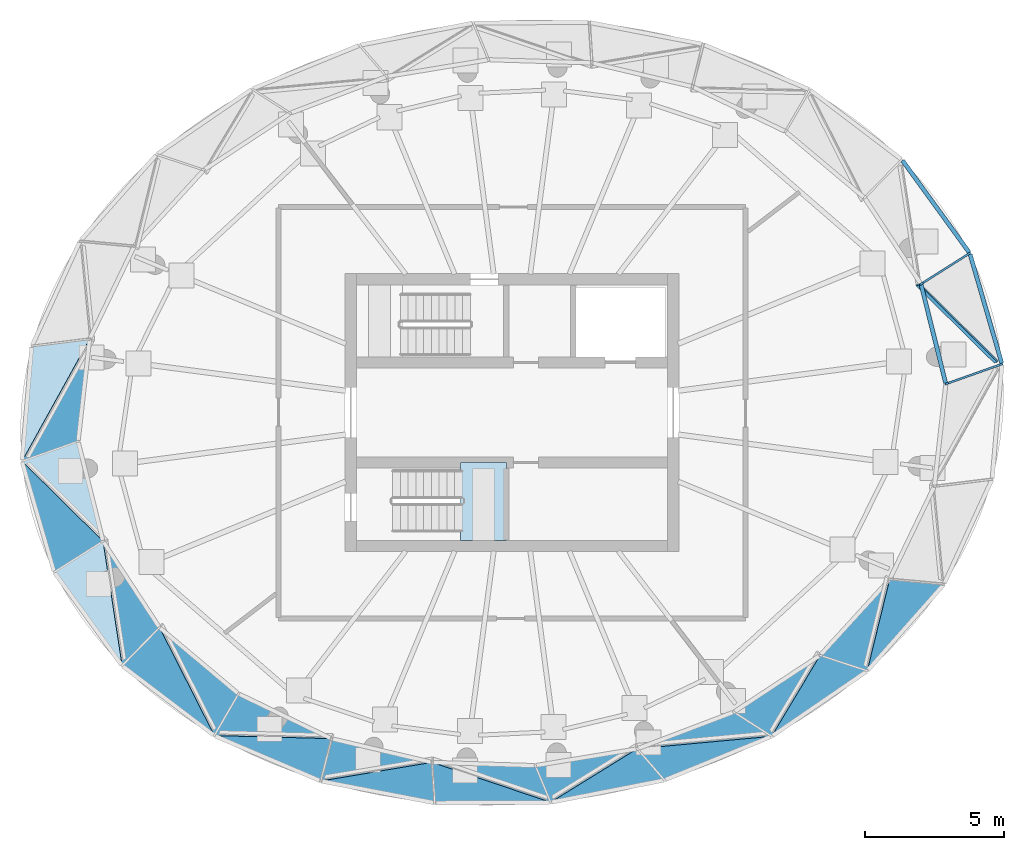
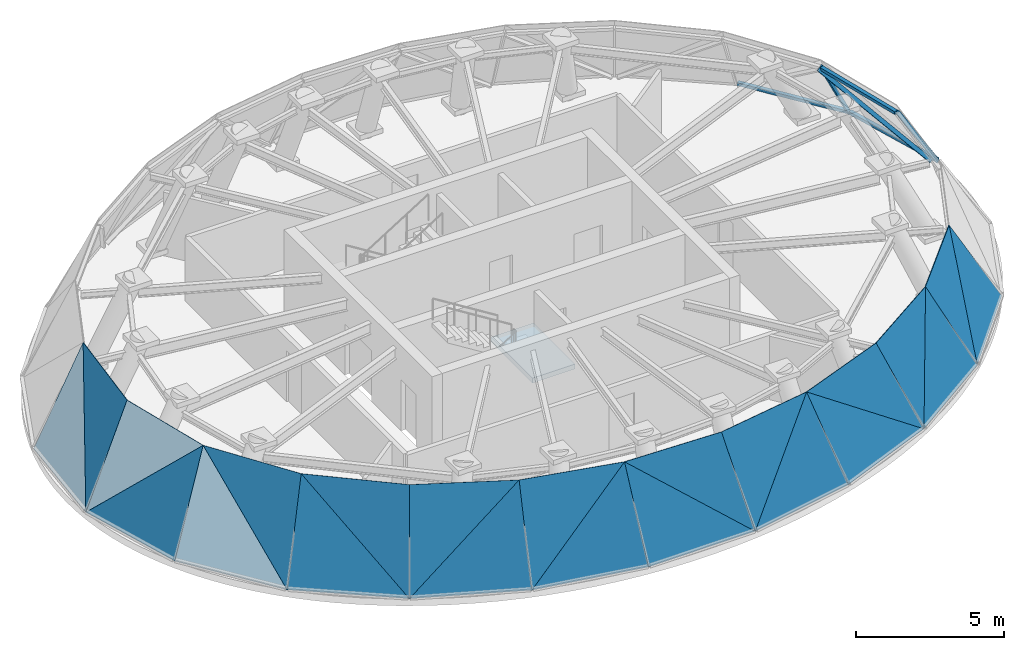
# One storey, part 5 of 9: 22 plates, 6 members, 1 slab, 26 elements without a shape of their own.
"""IFC4 building model written with IfcOpenShell, lengths in metres."""

from ifc_helpers import new_model, si_unit, direction, frame, origin, origin_2d, place, context, subcontext, project, spatial, line, indexed_curve, rectangle, outline, extrude, source, transform, mapped, material, layer, layer_set, material_profile, profile_set, type_object, element, aggregate, save


model = new_model("IFC4")

# Units and contexts
model_context = context("Model", 3, precision=1e-05, world=origin(), true_north=direction((0.0, 1.0)))
body_context = subcontext(model_context, "Body", "Model", "MODEL_VIEW")
ifc_project = project(units=[si_unit("LENGTHUNIT", "METRE"), si_unit("AREAUNIT", "SQUARE_METRE"), si_unit("VOLUMEUNIT", "CUBIC_METRE"), si_unit("PLANEANGLEUNIT", "RADIAN"), si_unit("MASSUNIT", "GRAM", prefix="KILO")], contexts=[model_context])

# Site, building, storey
site_placement = place(None, origin())
site = spatial("IfcSite", under=ifc_project, at=site_placement, CompositionType="ELEMENT")
building_placement = place(site_placement, origin())
building = spatial("IfcBuilding", under=site, at=building_placement, Name="Spindrift Exchange Tower", CompositionType="ELEMENT")
storey_placement = place(building_placement, frame((0.0, 0.0, 276.60009765625)))
storey = spatial("IfcBuildingStorey", under=building, at=storey_placement, Name="L68", CompositionType="ELEMENT", Elevation=276.60009765625)

# Curtain wall, member
ifc_material_1 = material(Name="Fritted laminated glass with bronze frame", Category="glass")
ifc_layer_1 = layer(ifc_material_1, 0.14990234375)
ifc_layer_set_1 = layer_set([ifc_layer_1], Name="CROWN BRONZE RAKED GLAZED WALL")
curtain_wall_type = type_object("IfcCurtainWallType", Name="CROWN BRONZE RAKED GLAZED WALL", PredefinedType="NOTDEFINED", material=ifc_layer_set_1)
curtain_wall_1_placement = place(storey_placement, origin())
curtain_wall_1 = element("IfcCurtainWall", 1, at=curtain_wall_1_placement, inside=storey, type_object=curtain_wall_type, Name="L68 Crown Bronze Raked Glazed Wall facet 1", PredefinedType="NOTDEFINED")
ifc_material_2 = material(Name="Bronze anodised aluminium", Category="aluminium")
ifc_material_profile_1 = material_profile(ifc_material_2, rectangle(XDim=0.14990234375, YDim=0.1201171875, at=origin_2d()), Name="CROWN BRONZE RAKED GLAZED WALL TRANSOM 150X120")
ifc_profile_set_1 = profile_set([ifc_material_profile_1], Name="Bronze anodised aluminium")
member_type_1 = type_object("IfcMemberType", Name="CROWN BRONZE RAKED GLAZED WALL TRANSOM 150X120", PredefinedType="USERDEFINED", material=ifc_profile_set_1)
shared_shape_1 = source(origin(), body_context, "Body", "SweptSolid", [
    extrude(rectangle(XDim=0.14990234375, YDim=0.1201171875, at=origin_2d()), origin(), (0.0, 0.0, 1.0), 4.083740234375),
])
member_1_placement = place(storey_placement, frame((69.61962890625, 49.781494140625, 0.059814453125), z_axis=(-0.279187231676, 0.960236684193, 0.0), x_axis=(-0.960236684193, -0.279187231676, 0.0)))
member_1 = element("IfcMember", 2, at=member_1_placement, type_object=member_type_1, Name="L68 transom CW-R.1a", ObjectType="TRANSOM", PredefinedType="USERDEFINED", context=body_context, shape_type="MappedRepresentation", body=[
    mapped(shared_shape_1, transform((0.0, 0.0, 0.0), scale=1.0)),
])

curtain_wall_2_placement = place(storey_placement, origin())
curtain_wall_2 = element("IfcCurtainWall", 3, at=curtain_wall_2_placement, inside=storey, type_object=curtain_wall_type, Name="L68 Crown Bronze Raked Glazed Wall facet 3", PredefinedType="NOTDEFINED")
shared_shape_2 = source(origin(), body_context, "Body", "SweptSolid", [
    extrude(rectangle(XDim=0.14990234375, YDim=0.1201171875, at=origin_2d()), origin(), (0.0, 0.0, 1.0), 4.0888671875),
])
member_2_placement = place(storey_placement, frame((66.0478515625, 57.07421875, 0.059814453125), z_axis=(0.587305084769, -0.809365638883, 0.0), x_axis=(0.809365638883, 0.587305084769, 0.0)))
member_2 = element("IfcMember", 4, at=member_2_placement, type_object=member_type_1, Name="L68 transom CW-R.2a", ObjectType="TRANSOM", PredefinedType="USERDEFINED", context=body_context, shape_type="MappedRepresentation", body=[
    mapped(shared_shape_2, transform((0.0, 0.0, 0.0), scale=1.0)),
])

# Curtain wall, members
curtain_wall_3_placement = place(storey_placement, origin())
curtain_wall_3 = element("IfcCurtainWall", 5, at=curtain_wall_3_placement, inside=storey, type_object=curtain_wall_type, Name="L68 Crown Bronze Raked Glazed Wall facet 2", PredefinedType="NOTDEFINED")
shared_shape_3 = source(origin(), body_context, "Body", "SweptSolid", [
    extrude(rectangle(XDim=0.14990234375, YDim=0.1201171875, at=origin_2d()), origin(), (0.0, 0.0, 1.0), 3.63427734375),
])
member_3_placement = place(storey_placement, frame((67.601318359375, 49.06640625, 3.159912109375), z_axis=(-0.241571306487, 0.97038307069, 0.0), x_axis=(-0.97038307069, -0.241571306487, 0.0)))
member_3 = element("IfcMember", 6, at=member_3_placement, type_object=member_type_1, Name="L68 transom CW-R.1b", ObjectType="TRANSOM", PredefinedType="USERDEFINED", context=body_context, shape_type="MappedRepresentation", body=[
    mapped(shared_shape_3, transform((0.0, 0.0, 0.0), scale=1.0)),
])
ifc_material_profile_2 = material_profile(ifc_material_2, rectangle(XDim=0.070068359375, YDim=0.14990234375, at=origin_2d()), Name="CROWN BRONZE RAKED GLAZED WALL MULLION 70X150")
ifc_profile_set_2 = profile_set([ifc_material_profile_2], Name="Bronze anodised aluminium")
member_type_2 = type_object("IfcMemberType", Name="CROWN BRONZE RAKED GLAZED WALL MULLION 70X150", PredefinedType="MULLION", material=ifc_profile_set_2)
shared_shape_4 = source(origin(), body_context, "Body", "SweptSolid", [
    extrude(rectangle(XDim=0.070068359375, YDim=0.14990234375, at=origin_2d()), origin(), (0.0, 0.0, 1.0), 3.76806640625),
])
member_4_placement = place(storey_placement, frame((69.603271484375, 49.73876953125, 0.04150390625), z_axis=(-0.522173172487, -0.184986277138, 0.832535437807), x_axis=(0.33392725094, -0.942598849501, 0.0)))
member_4 = element("IfcMember", 7, at=member_4_placement, type_object=member_type_2, Name="L68 mullion CW-R.1", PredefinedType="MULLION", context=body_context, shape_type="MappedRepresentation", body=[
    mapped(shared_shape_4, transform((0.0, 0.0, 0.0), scale=1.0)),
])
aggregate(curtain_wall_3, [member_3, member_4])

# Member
shared_shape_5 = source(origin(), body_context, "Body", "SweptSolid", [
    extrude(rectangle(XDim=0.070068359375, YDim=0.14990234375, at=origin_2d()), origin(), (0.0, 0.0, 1.0), 5.019775390625),
])
member_5_placement = place(storey_placement, frame((69.412109375, 49.829833984375, 0.058837890625), z_axis=(-0.559353128724, 0.552495569281, 0.617958512613), x_axis=(-0.141915977891, -0.798311117425, 0.585285584151)))
member_5 = element("IfcMember", 8, at=member_5_placement, type_object=member_type_2, Name="L68 glazing bar CW-R.1", PredefinedType="MULLION", context=body_context, shape_type="MappedRepresentation", body=[
    mapped(shared_shape_5, transform((0.0, 0.0, 0.0), scale=1.0)),
])

aggregate(curtain_wall_1, [member_1, member_5])

shared_shape_6 = source(origin(), body_context, "Body", "SweptSolid", [
    extrude(rectangle(XDim=0.070068359375, YDim=0.14990234375, at=origin_2d()), origin(), (0.0, 0.0, 1.0), 3.734619140625),
])
member_6_placement = place(storey_placement, frame((68.447509765625, 53.722412109375, 0.04052734375), z_axis=(-0.458010569977, -0.28960702612, 0.840448742168), x_axis=(0.534437734804, -0.845207848767, 0.0)))
member_6 = element("IfcMember", 9, at=member_6_placement, type_object=member_type_2, Name="L68 mullion CW-R.2", PredefinedType="MULLION", context=body_context, shape_type="MappedRepresentation", body=[
    mapped(shared_shape_6, transform((0.0, 0.0, 0.0), scale=1.0)),
])

aggregate(curtain_wall_2, [member_2, member_6])

# Curtain wall, plate
curtain_wall_4_placement = place(storey_placement, origin())
curtain_wall_4 = element("IfcCurtainWall", 10, at=curtain_wall_4_placement, inside=storey, type_object=curtain_wall_type, Name="L68 Crown Bronze Raked Glazed Wall facet 25", PredefinedType="NOTDEFINED")
ifc_material_3 = material(Name="Bronze fritted laminated glass, close frit", Category="glass")
ifc_layer_2 = layer(ifc_material_3, 0.030029296875)
ifc_layer_set_2 = layer_set([ifc_layer_2], Name="CROWN BRONZE RAKED GLAZED WALL PANEL CLOSE FRIT 300")
plate_type_1 = type_object("IfcPlateType", Name="CROWN BRONZE RAKED GLAZED WALL PANEL CLOSE FRIT 300", PredefinedType="CURTAIN_PANEL", material=ifc_layer_set_2)
plate_1_placement = place(storey_placement, frame((34.37060546875, 46.251953125, 0.014892578125), z_axis=(-0.833367262215, -0.242302411429, 0.496778167478), x_axis=(0.279189627312, -0.960235987662, 0.0)))
plate_1 = element("IfcPlate", 11, at=plate_1_placement, type_object=plate_type_1, Name="L68 panel CW-R.13a", PredefinedType="CURTAIN_PANEL", context=body_context, shape_type="SweptSolid", body=[
    extrude(outline(indexed_curve([(0.0, 0.0), (4.1533203125, 0.0), (3.578125, 4.015625)], segments=[line(1, 2, 3, 1)], self_intersect=False)), origin(), (0.0, 0.0, -1.0), 0.030029296875),
])
aggregate(curtain_wall_4, [plate_1])

curtain_wall_5_placement = place(storey_placement, origin())
curtain_wall_5 = element("IfcCurtainWall", 12, at=curtain_wall_5_placement, inside=storey, type_object=curtain_wall_type, Name="L68 Crown Bronze Raked Glazed Wall facet 26", PredefinedType="NOTDEFINED")
plate_2_placement = place(storey_placement, frame((34.37060546875, 46.251953125, 0.015380859375), z_axis=(-0.827661235758, -0.206029914355, 0.522042673748), x_axis=(0.541917100592, -0.535289533438, 0.647912780764)))
plate_2 = element("IfcPlate", 13, at=plate_2_placement, type_object=plate_type_1, Name="L68 panel CW-R.13b", PredefinedType="CURTAIN_PANEL", context=body_context, shape_type="SweptSolid", body=[
    extrude(outline(indexed_curve([(0.0, 0.0), (5.3779296875, 0.0), (2.9697265625, 2.8134765625)], segments=[line(1, 2, 3, 1)], self_intersect=False)), origin(), (0.0, 0.0, -1.0), 0.030029296875),
])
aggregate(curtain_wall_5, [plate_2])

curtain_wall_6_placement = place(storey_placement, origin())
curtain_wall_6 = element("IfcCurtainWall", 14, at=curtain_wall_6_placement, inside=storey, type_object=curtain_wall_type, Name="L68 Crown Bronze Raked Glazed Wall facet 31", PredefinedType="NOTDEFINED")
plate_3_placement = place(storey_placement, frame((41.290283203125, 36.380615234375, 0.01220703125), z_axis=(-0.358110786117, -0.840604992789, 0.406374102232), x_axis=(0.919994254775, -0.391931845072, 0.0)))
plate_3 = element("IfcPlate", 15, at=plate_3_placement, type_object=plate_type_1, Name="L68 panel CW-R.16a", PredefinedType="CURTAIN_PANEL", context=body_context, shape_type="SweptSolid", body=[
    extrude(outline(indexed_curve([(0.0, 0.0), (4.16796875, 0.0), (3.921875, 3.8173828125)], segments=[line(1, 2, 3, 1)], self_intersect=False)), origin(), (0.0, 0.0, -1.0), 0.030029296875),
])
aggregate(curtain_wall_6, [plate_3])

curtain_wall_7_placement = place(storey_placement, origin())
curtain_wall_7 = element("IfcCurtainWall", 16, at=curtain_wall_7_placement, inside=storey, type_object=curtain_wall_type, Name="L68 Crown Bronze Raked Glazed Wall facet 32", PredefinedType="NOTDEFINED")
plate_4_placement = place(storey_placement, frame((41.290283203125, 36.380615234375, 0.01318359375), z_axis=(-0.389062051822, -0.806607847871, 0.444988201623), x_axis=(0.770466512361, -0.020120463062, 0.637162867952)))
plate_4 = element("IfcPlate", 17, at=plate_4_placement, type_object=plate_type_1, Name="L68 panel CW-R.16b", PredefinedType="CURTAIN_PANEL", context=body_context, shape_type="SweptSolid", body=[
    extrude(outline(indexed_curve([(0.0, 0.0), (5.47265625, 0.0), (2.861328125, 2.6435546875)], segments=[line(1, 2, 3, 1)], self_intersect=False)), origin(), (0.0, 0.0, -1.0), 0.030029296875),
])
aggregate(curtain_wall_7, [plate_4])

curtain_wall_8_placement = place(storey_placement, origin())
curtain_wall_8 = element("IfcCurtainWall", 18, at=curtain_wall_8_placement, inside=storey, type_object=curtain_wall_type, Name="L68 Crown Bronze Raked Glazed Wall facet 39", PredefinedType="NOTDEFINED")
plate_5_placement = place(storey_placement, frame((61.343994140625, 36.355224609375, 0.010986328125), z_axis=(0.350237796405, -0.858307843228, 0.375021509012), x_axis=(-0.92588233816, -0.377811984833, 0.0)))
plate_5 = element("IfcPlate", 19, at=plate_5_placement, type_object=plate_type_1, Name="L68 panel CW-R.20a", PredefinedType="CURTAIN_PANEL", context=body_context, shape_type="SweptSolid", body=[
    extrude(outline(indexed_curve([(0.0, 0.0), (4.169921875, 0.0), (4.6474609375, -3.763671875)], segments=[line(1, 2, 3, 1)], self_intersect=False)), origin(), (0.0, 0.0, -1.0), 0.030029296875),
])
aggregate(curtain_wall_8, [plate_5])

curtain_wall_9_placement = place(storey_placement, origin())
curtain_wall_9 = element("IfcCurtainWall", 20, at=curtain_wall_9_placement, inside=storey, type_object=curtain_wall_type, Name="L68 Crown Bronze Raked Glazed Wall facet 40", PredefinedType="NOTDEFINED")
plate_6_placement = place(storey_placement, frame((61.343994140625, 36.355224609375, 0.01025390625), z_axis=(0.33319543999, -0.875861429082, 0.349066692506), x_axis=(-0.808633785814, -0.075070802772, 0.583503020568)))
plate_6 = element("IfcPlate", 21, at=plate_6_placement, type_object=plate_type_1, Name="L68 panel CW-R.20b", PredefinedType="CURTAIN_PANEL", context=body_context, shape_type="SweptSolid", body=[
    extrude(outline(indexed_curve([(0.0, 0.0), (5.98046875, 0.0), (3.072265625, -2.314453125)], segments=[line(1, 2, 3, 1)], self_intersect=False)), origin(), (0.0, 0.0, -1.0), 0.030029296875),
])
aggregate(curtain_wall_9, [plate_6])

curtain_wall_10_placement = place(storey_placement, origin())
curtain_wall_10 = element("IfcCurtainWall", 22, at=curtain_wall_10_placement, inside=storey, type_object=curtain_wall_type, Name="L68 Crown Bronze Raked Glazed Wall facet 41", PredefinedType="NOTDEFINED")
plate_7_placement = place(storey_placement, frame((61.343994140625, 36.355224609375, 0.01123046875), z_axis=(0.523331179804, -0.764242578283, 0.37690550246), x_axis=(0.825091672938, 0.564998877209, 0.0)))
plate_7 = element("IfcPlate", 23, at=plate_7_placement, type_object=plate_type_1, Name="L68 panel CW-R.21a", PredefinedType="CURTAIN_PANEL", context=body_context, shape_type="SweptSolid", body=[
    extrude(outline(indexed_curve([(0.0, 0.0), (4.16796875, 0.0), (3.083984375, 3.7666015625)], segments=[line(1, 2, 3, 1)], self_intersect=False)), origin(), (0.0, 0.0, -1.0), 0.030029296875),
])
aggregate(curtain_wall_10, [plate_7])

curtain_wall_11_placement = place(storey_placement, origin())
curtain_wall_11 = element("IfcCurtainWall", 24, at=curtain_wall_11_placement, inside=storey, type_object=curtain_wall_type, Name="L68 Crown Bronze Raked Glazed Wall facet 42", PredefinedType="NOTDEFINED")
plate_8_placement = place(storey_placement, frame((61.343994140625, 36.355224609375, 0.01171875), z_axis=(0.505847046692, -0.769419981548, 0.390014945031), x_axis=(0.357924848008, 0.598581156968, 0.716652218096)))
plate_8 = element("IfcPlate", 25, at=plate_8_placement, type_object=plate_type_1, Name="L68 panel CW-R.21b", PredefinedType="CURTAIN_PANEL", context=body_context, shape_type="SweptSolid", body=[
    extrude(outline(indexed_curve([(0.0, 0.0), (4.8671875, 0.0), (2.5341796875, 2.8916015625)], segments=[line(1, 2, 3, 1)], self_intersect=False)), origin(), (0.0, 0.0, -1.0), 0.030029296875),
])
aggregate(curtain_wall_11, [plate_8])

curtain_wall_12_placement = place(storey_placement, origin())
curtain_wall_12 = element("IfcCurtainWall", 26, at=curtain_wall_12_placement, inside=storey, type_object=curtain_wall_type, Name="L68 Crown Bronze Raked Glazed Wall facet 23", PredefinedType="NOTDEFINED")
ifc_layer_3 = layer(ifc_material_3, 0.030029296875)
ifc_layer_set_3 = layer_set([ifc_layer_3], Name="CROWN BRONZE RAKED GLAZED WALL PANEL CLOSE FRIT 420")
plate_type_2 = type_object("IfcPlateType", Name="CROWN BRONZE RAKED GLAZED WALL PANEL CLOSE FRIT 420", PredefinedType="CURTAIN_PANEL", material=ifc_layer_set_3)
plate_9_placement = place(storey_placement, frame((34.37060546875, 46.251953125, 0.01513671875), z_axis=(-0.858810253876, 0.073458876128, 0.506999744926), x_axis=(0.085224432551, 0.996361779725, 0.0)))
plate_9 = element("IfcPlate", 27, at=plate_9_placement, type_object=plate_type_2, Name="L68 panel CW-R.12a", PredefinedType="CURTAIN_PANEL", context=body_context, shape_type="SweptSolid", body=[
    extrude(outline(indexed_curve([(0.0, 0.0), (4.1533203125, 0.0), (4.587890625, -4.04296875)], segments=[line(1, 2, 3, 1)], self_intersect=False)), origin(), (0.0, 0.0, -1.0), 0.030029296875),
])
aggregate(curtain_wall_12, [plate_9])

curtain_wall_13_placement = place(storey_placement, origin())
curtain_wall_13 = element("IfcCurtainWall", 28, at=curtain_wall_13_placement, inside=storey, type_object=curtain_wall_type, Name="L68 Crown Bronze Raked Glazed Wall facet 24", PredefinedType="NOTDEFINED")
plate_10_placement = place(storey_placement, frame((34.37060546875, 46.251953125, 0.014404296875), z_axis=(-0.869663253738, 0.097712379905, 0.483878203591), x_axis=(0.39789710961, 0.718905503146, 0.56995856666)))
plate_10 = element("IfcPlate", 29, at=plate_10_placement, type_object=plate_type_2, Name="L68 panel CW-R.12b", PredefinedType="CURTAIN_PANEL", context=body_context, shape_type="SweptSolid", body=[
    extrude(outline(indexed_curve([(0.0, 0.0), (6.115234375, 0.0), (3.3046875, -2.412109375)], segments=[line(1, 2, 3, 1)], self_intersect=False)), origin(), (0.0, 0.0, -1.0), 0.030029296875),
])
aggregate(curtain_wall_13, [plate_10])

curtain_wall_14_placement = place(storey_placement, origin())
curtain_wall_14 = element("IfcCurtainWall", 30, at=curtain_wall_14_placement, inside=storey, type_object=curtain_wall_type, Name="L68 Crown Bronze Raked Glazed Wall facet 27", PredefinedType="NOTDEFINED")
plate_11_placement = place(storey_placement, frame((37.97265625, 38.8974609375, 0.01513671875), z_axis=(-0.695691699612, -0.504801607523, 0.511065941082), x_axis=(-0.587291716411, 0.80937533928, 0.0)))
plate_11 = element("IfcPlate", 31, at=plate_11_placement, type_object=plate_type_2, Name="L68 panel CW-R.14a", PredefinedType="CURTAIN_PANEL", context=body_context, shape_type="SweptSolid", body=[
    extrude(outline(indexed_curve([(0.0, 0.0), (4.1591796875, 0.0), (4.0263671875, -4.0546875)], segments=[line(1, 2, 3, 1)], self_intersect=False)), origin(), (0.0, 0.0, -1.0), 0.030029296875),
])
aggregate(curtain_wall_14, [plate_11])

curtain_wall_15_placement = place(storey_placement, origin())
curtain_wall_15 = element("IfcCurtainWall", 32, at=curtain_wall_15_placement, inside=storey, type_object=curtain_wall_type, Name="L68 Crown Bronze Raked Glazed Wall facet 28", PredefinedType="NOTDEFINED")
plate_12_placement = place(storey_placement, frame((37.97265625, 38.8974609375, 0.01416015625), z_axis=(-0.736357139507, -0.482518840373, 0.474292875533), x_axis=(-0.120309655749, 0.783209023153, 0.610007551417)))
plate_12 = element("IfcPlate", 33, at=plate_12_placement, type_object=plate_type_2, Name="L68 panel CW-R.14b", PredefinedType="CURTAIN_PANEL", context=body_context, shape_type="SweptSolid", body=[
    extrude(outline(indexed_curve([(0.0, 0.0), (5.71484375, 0.0), (3.041015625, -2.5693359375)], segments=[line(1, 2, 3, 1)], self_intersect=False)), origin(), (0.0, 0.0, -1.0), 0.030029296875),
])
aggregate(curtain_wall_15, [plate_12])

curtain_wall_16_placement = place(storey_placement, origin())
curtain_wall_16 = element("IfcCurtainWall", 34, at=curtain_wall_16_placement, inside=storey, type_object=curtain_wall_type, Name="L68 Crown Bronze Raked Glazed Wall facet 29", PredefinedType="NOTDEFINED")
plate_13_placement = place(storey_placement, frame((41.290283203125, 36.380615234375, 0.014404296875), z_axis=(-0.530183837166, -0.698871681371, 0.480086941903), x_axis=(-0.796688350583, 0.604390330867, 0.0)))
plate_13 = element("IfcPlate", 35, at=plate_13_placement, type_object=plate_type_2, Name="L68 panel CW-R.15a", PredefinedType="CURTAIN_PANEL", context=body_context, shape_type="SweptSolid", body=[
    extrude(outline(indexed_curve([(0.0, 0.0), (4.1640625, 0.0), (3.923828125, -3.9736328125)], segments=[line(1, 2, 3, 1)], self_intersect=False)), origin(), (0.0, 0.0, -1.0), 0.030029296875),
])
aggregate(curtain_wall_16, [plate_13])

curtain_wall_17_placement = place(storey_placement, origin())
curtain_wall_17 = element("IfcCurtainWall", 36, at=curtain_wall_17_placement, inside=storey, type_object=curtain_wall_type, Name="L68 Crown Bronze Raked Glazed Wall facet 30", PredefinedType="NOTDEFINED")
plate_14_placement = place(storey_placement, frame((41.290283203125, 36.380615234375, 0.01318359375), z_axis=(-0.57727073069, -0.687494135701, 0.440579523883), x_axis=(-0.353256855509, 0.696721663544, 0.624330455436)))
plate_14 = element("IfcPlate", 37, at=plate_14_placement, type_object=plate_type_2, Name="L68 panel CW-R.15b", PredefinedType="CURTAIN_PANEL", context=body_context, shape_type="SweptSolid", body=[
    extrude(outline(indexed_curve([(0.0, 0.0), (5.5849609375, 0.0), (2.9169921875, -2.58203125)], segments=[line(1, 2, 3, 1)], self_intersect=False)), origin(), (0.0, 0.0, -1.0), 0.030029296875),
])
aggregate(curtain_wall_17, [plate_14])

curtain_wall_18_placement = place(storey_placement, origin())
curtain_wall_18 = element("IfcCurtainWall", 38, at=curtain_wall_18_placement, inside=storey, type_object=curtain_wall_type, Name="L68 Crown Bronze Raked Glazed Wall facet 33", PredefinedType="NOTDEFINED")
plate_15_placement = place(storey_placement, frame((45.124755859375, 34.7470703125, 0.010986328125), z_axis=(-0.174809687081, -0.910247771411, 0.375353923576), x_axis=(0.982054026779, -0.188599810413, 0.0)))
plate_15 = element("IfcPlate", 39, at=plate_15_placement, type_object=plate_type_2, Name="L68 panel CW-R.17a", PredefinedType="CURTAIN_PANEL", context=body_context, shape_type="SweptSolid", body=[
    extrude(outline(indexed_curve([(0.0, 0.0), (4.169921875, 0.0), (3.80078125, 3.7646484375)], segments=[line(1, 2, 3, 1)], self_intersect=False)), origin(), (0.0, 0.0, -1.0), 0.030029296875),
])
aggregate(curtain_wall_18, [plate_15])

curtain_wall_19_placement = place(storey_placement, origin())
curtain_wall_19 = element("IfcCurtainWall", 40, at=curtain_wall_19_placement, inside=storey, type_object=curtain_wall_type, Name="L68 Crown Bronze Raked Glazed Wall facet 34", PredefinedType="NOTDEFINED")
plate_16_placement = place(storey_placement, frame((45.124755859375, 34.7470703125, 0.01220703125), z_axis=(-0.209209629031, -0.887508812763, 0.410559908403), x_axis=(0.747728115877, 0.125382073881, 0.652059813419)))
plate_16 = element("IfcPlate", 41, at=plate_16_placement, type_object=plate_type_2, Name="L68 panel CW-R.17b", PredefinedType="CURTAIN_PANEL", context=body_context, shape_type="SweptSolid", body=[
    extrude(outline(indexed_curve([(0.0, 0.0), (5.3486328125, 0.0), (2.7509765625, 2.658203125)], segments=[line(1, 2, 3, 1)], self_intersect=False)), origin(), (0.0, 0.0, -1.0), 0.030029296875),
])
aggregate(curtain_wall_19, [plate_16])

curtain_wall_20_placement = place(storey_placement, origin())
curtain_wall_20 = element("IfcCurtainWall", 42, at=curtain_wall_20_placement, inside=storey, type_object=curtain_wall_type, Name="L68 Crown Bronze Raked Glazed Wall facet 37", PredefinedType="NOTDEFINED")
plate_17_placement = place(storey_placement, frame((53.39013671875, 33.979736328125, 0.01025390625), z_axis=(0.17989175507, -0.920318972764, 0.347349888194), x_axis=(0.981426932005, 0.19183632903, 0.0)))
plate_17 = element("IfcPlate", 43, at=plate_17_placement, type_object=plate_type_2, Name="L68 panel CW-R.19a", PredefinedType="CURTAIN_PANEL", context=body_context, shape_type="SweptSolid", body=[
    extrude(outline(indexed_curve([(0.0, 0.0), (4.1708984375, 0.0), (3.4296875, 3.7216796875)], segments=[line(1, 2, 3, 1)], self_intersect=False)), origin(), (0.0, 0.0, -1.0), 0.030029296875),
])
aggregate(curtain_wall_20, [plate_17])

curtain_wall_21_placement = place(storey_placement, origin())
curtain_wall_21 = element("IfcCurtainWall", 44, at=curtain_wall_21_placement, inside=storey, type_object=curtain_wall_type, Name="L68 Crown Bronze Raked Glazed Wall facet 38", PredefinedType="NOTDEFINED")
plate_18_placement = place(storey_placement, frame((53.39013671875, 33.979736328125, 0.010986328125), z_axis=(0.151004470374, -0.916272682918, 0.371001375287), x_axis=(0.616129744322, 0.380726688523, 0.689515283955)))
plate_18 = element("IfcPlate", 45, at=plate_18_placement, type_object=plate_type_2, Name="L68 panel CW-R.19b", PredefinedType="CURTAIN_PANEL", context=body_context, shape_type="SweptSolid", body=[
    extrude(outline(indexed_curve([(0.0, 0.0), (5.060546875, 0.0), (2.5703125, 2.759765625)], segments=[line(1, 2, 3, 1)], self_intersect=False)), origin(), (0.0, 0.0, -1.0), 0.030029296875),
])
aggregate(curtain_wall_21, [plate_18])

curtain_wall_22_placement = place(storey_placement, origin())
curtain_wall_22 = element("IfcCurtainWall", 46, at=curtain_wall_22_placement, inside=storey, type_object=curtain_wall_type, Name="L68 Crown Bronze Raked Glazed Wall facet 43", PredefinedType="NOTDEFINED")
plate_19_placement = place(storey_placement, frame((64.78271484375, 38.7099609375, 0.01220703125), z_axis=(0.682177391467, -0.603419434954, 0.412939453298), x_axis=(0.662546052068, 0.749021180534, 0.0)))
plate_19 = element("IfcPlate", 47, at=plate_19_placement, type_object=plate_type_2, Name="L68 panel CW-R.22a", PredefinedType="CURTAIN_PANEL", context=body_context, shape_type="SweptSolid", body=[
    extrude(outline(indexed_curve([(0.0, 0.0), (4.1640625, 0.0), (3.0068359375, 3.8291015625)], segments=[line(1, 2, 3, 1)], self_intersect=False)), origin(), (0.0, 0.0, -1.0), 0.030029296875),
])
aggregate(curtain_wall_22, [plate_19])

curtain_wall_23_placement = place(storey_placement, origin())
curtain_wall_23 = element("IfcCurtainWall", 48, at=curtain_wall_23_placement, inside=storey, type_object=curtain_wall_type, Name="L68 Crown Bronze Raked Glazed Wall facet 44", PredefinedType="NOTDEFINED")
plate_20_placement = place(storey_placement, frame((64.78271484375, 38.7099609375, 0.0126953125), z_axis=(0.668869532809, -0.611074819926, 0.423321523824), x_axis=(0.165843261079, 0.677765852279, 0.716330553752)))
plate_20 = element("IfcPlate", 49, at=plate_20_placement, type_object=plate_type_2, Name="L68 panel CW-R.22b", PredefinedType="CURTAIN_PANEL", context=body_context, shape_type="SweptSolid", body=[
    extrude(outline(indexed_curve([(0.0, 0.0), (4.8681640625, 0.0), (2.595703125, 2.935546875)], segments=[line(1, 2, 3, 1)], self_intersect=False)), origin(), (0.0, 0.0, -1.0), 0.030029296875),
])
aggregate(curtain_wall_23, [plate_20])

curtain_wall_24_placement = place(storey_placement, origin())
curtain_wall_24 = element("IfcCurtainWall", 50, at=curtain_wall_24_placement, inside=storey, type_object=curtain_wall_type, Name="L68 Crown Bronze Raked Glazed Wall facet 35", PredefinedType="NOTDEFINED")
ifc_layer_4 = layer(ifc_material_3, 0.030029296875)
ifc_layer_set_4 = layer_set([ifc_layer_4], Name="CROWN BRONZE RAKED GLAZED WALL PANEL CLOSE FRIT 540")
plate_type_3 = type_object("IfcPlateType", Name="CROWN BRONZE RAKED GLAZED WALL PANEL CLOSE FRIT 540", PredefinedType="CURTAIN_PANEL", material=ifc_layer_set_4)
plate_21_placement = place(storey_placement, frame((53.39013671875, 33.979736328125, 0.011474609375), z_axis=(0.004212998998, -0.922700793342, 0.385493834717), x_axis=(-0.999989576246, -0.004565895156, 0.0)))
plate_21 = element("IfcPlate", 51, at=plate_21_placement, type_object=plate_type_3, Name="L68 panel CW-R.18a", PredefinedType="CURTAIN_PANEL", context=body_context, shape_type="SweptSolid", body=[
    extrude(outline(indexed_curve([(0.0, 0.0), (4.1708984375, 0.0), (4.2587890625, -3.7802734375)], segments=[line(1, 2, 3, 1)], self_intersect=False)), origin(), (0.0, 0.0, -1.0), 0.030029296875),
])
aggregate(curtain_wall_24, [plate_21])

curtain_wall_25_placement = place(storey_placement, origin())
curtain_wall_25 = element("IfcCurtainWall", 52, at=curtain_wall_25_placement, inside=storey, type_object=curtain_wall_type, Name="L68 Crown Bronze Raked Glazed Wall facet 36", PredefinedType="NOTDEFINED")
plate_22_placement = place(storey_placement, frame((53.39013671875, 33.979736328125, 0.010498046875), z_axis=(-0.029221497888, -0.936256792323, 0.350099018694), x_axis=(-0.748950690725, 0.252464921214, 0.612645351258)))
plate_22 = element("IfcPlate", 53, at=plate_22_placement, type_object=plate_type_3, Name="L68 panel CW-R.18b", PredefinedType="CURTAIN_PANEL", context=body_context, shape_type="SweptSolid", body=[
    extrude(outline(indexed_curve([(0.0, 0.0), (5.6953125, 0.0), (2.8837890625, -2.431640625)], segments=[line(1, 2, 3, 1)], self_intersect=False)), origin(), (0.0, 0.0, -1.0), 0.030029296875),
])
aggregate(curtain_wall_25, [plate_22])

# Stair, slab
ifc_material_4 = material(Name="Concrete 50 MPa", Category="concrete")
stair_type = type_object("IfcStairType", Name="ST-1050-R175", PredefinedType="HALF_TURN_STAIR", material=ifc_material_4)
stair_placement = place(storey_placement, origin())
stair = element("IfcStair", 54, at=stair_placement, inside=storey, type_object=stair_type, Name="L68 Exit stair ST4", PredefinedType="HALF_TURN_STAIR")
ifc_layer_5 = layer(ifc_material_4, 0.199951171875)
ifc_layer_set_5 = layer_set([ifc_layer_5], Name="SL-LANDING")
slab_type = type_object("IfcSlabType", Name="SL-LANDING", PredefinedType="LANDING", material=ifc_layer_set_5)
slab_placement = place(storey_placement, frame((0.0, 0.0, 1.5498046875)))
slab = element("IfcSlab", 55, at=slab_placement, type_object=slab_type, Name="ST4 landing 1", PredefinedType="LANDING", context=body_context, shape_type="SweptSolid", body=[
    extrude(outline(indexed_curve([(50.139892578125, 46.199951171875), (51.800048828125, 46.199951171875), (51.800048828125, 43.39990234375), (50.139892578125, 43.39990234375)], segments=[line(1, 2, 3, 4, 1)], self_intersect=False)), origin(), (0.0, 0.0, 1.0), 0.2001953125),
])
aggregate(stair, [slab])

save(model, "model.ifc")
